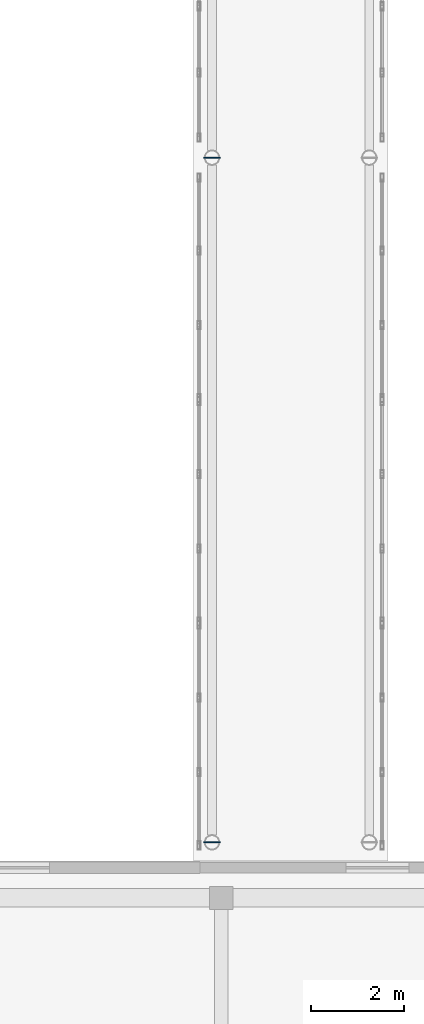
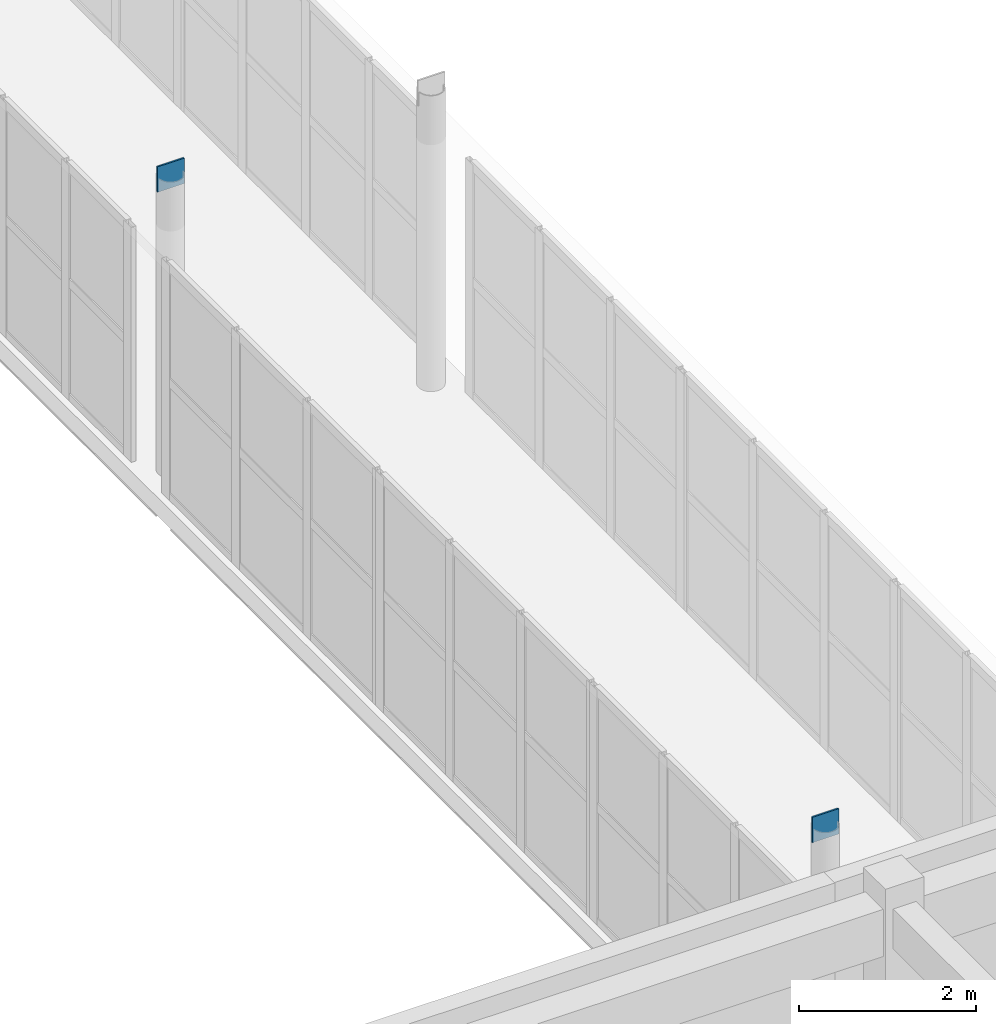
# One storey, part 42 of 52: 2 plates.
"""IFC4 building model written with IfcOpenShell, lengths in metres."""

from ifc_helpers import new_model, si_unit, direction, frame, origin, origin_2d, place, context, subcontext, project, spatial, rectangle, extrude, material, layer, layer_set, type_object, element, save


model = new_model("IFC4")

# Units and contexts
model_context = context("Model", 3, precision=1e-05, world=origin(), true_north=direction((0.0, 1.0)))
body_context = subcontext(model_context, "Body", "Model", "MODEL_VIEW")
ifc_project = project(units=[si_unit("LENGTHUNIT", "METRE"), si_unit("AREAUNIT", "SQUARE_METRE"), si_unit("VOLUMEUNIT", "CUBIC_METRE"), si_unit("PLANEANGLEUNIT", "RADIAN"), si_unit("MASSUNIT", "GRAM", prefix="KILO")], contexts=[model_context])

# Site, building, storey
site_placement = place(None, origin())
site = spatial("IfcSite", under=ifc_project, at=site_placement, CompositionType="ELEMENT")
building_placement = place(site_placement, origin())
building = spatial("IfcBuilding", under=site, at=building_placement, Name="Valcora Specialist Clinic", CompositionType="ELEMENT")
storey_placement = place(building_placement, frame((0.0, 0.0, 17.679931640625)))
storey = spatial("IfcBuildingStorey", under=building, at=storey_placement, Name="L04", CompositionType="ELEMENT", Elevation=17.679931640625)

# Plates
ifc_material = material(Name="Steel ASTM A572 Grade 50", Category="steel")
ifc_layer = layer(ifc_material, 0.02197265625)
ifc_layer_set = layer_set([ifc_layer], Name="Steel ASTM A572 Grade 50")
plate_type = type_object("IfcPlateType", Name="TY-PL-EC324", PredefinedType="USERDEFINED", material=ifc_layer_set)
for number, where, z_axis, x_axis, name in (
    (1, (61.60009765625, 23.199951171875, 3.89404296875), (0.0, 0.0, 1.0), (1.0, 0.0, 0.0), "Column end-cap plate COL-L04-0964"),
    (2, (61.60009765625, 38.0, 3.89404296875), (0.0, 0.0, 1.0), (1.0, 0.0, 0.0), "Column end-cap plate COL-L04-0970"),
):
    element("IfcPlate", number, at=place(storey_placement, frame(where, z_axis=z_axis, x_axis=x_axis)), inside=storey, type_object=plate_type, Name=name, ObjectType="FLANGE_PLATE", PredefinedType="USERDEFINED", context=body_context, shape_type="SweptSolid", body=[
        extrude(rectangle(XDim=0.35009765625, YDim=0.02197265625, at=origin_2d()), origin(), (0.0, 0.0, 1.0), 0.35009765625),
    ])

save(model, "model.ifc")
